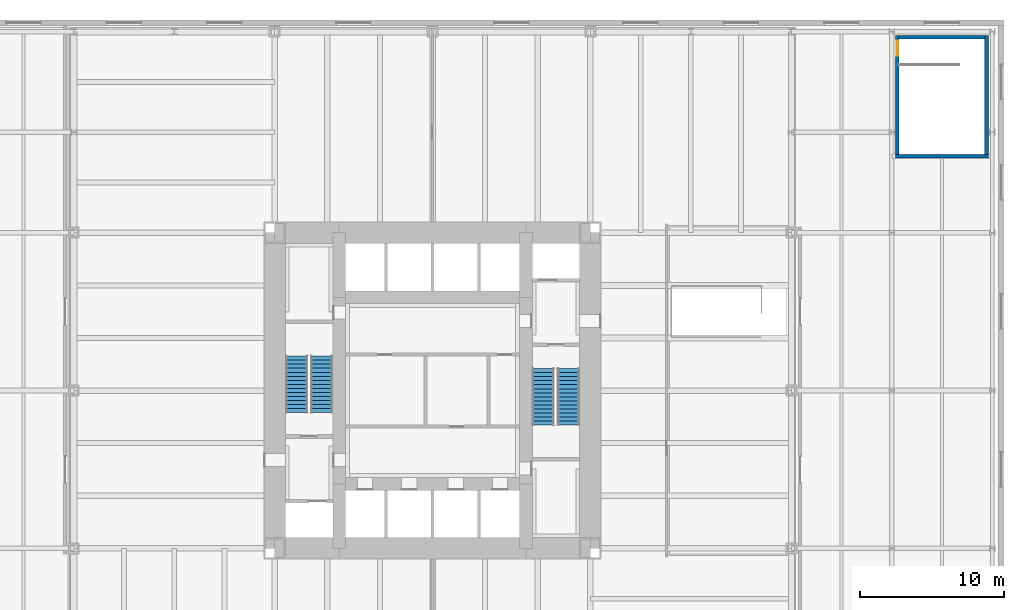
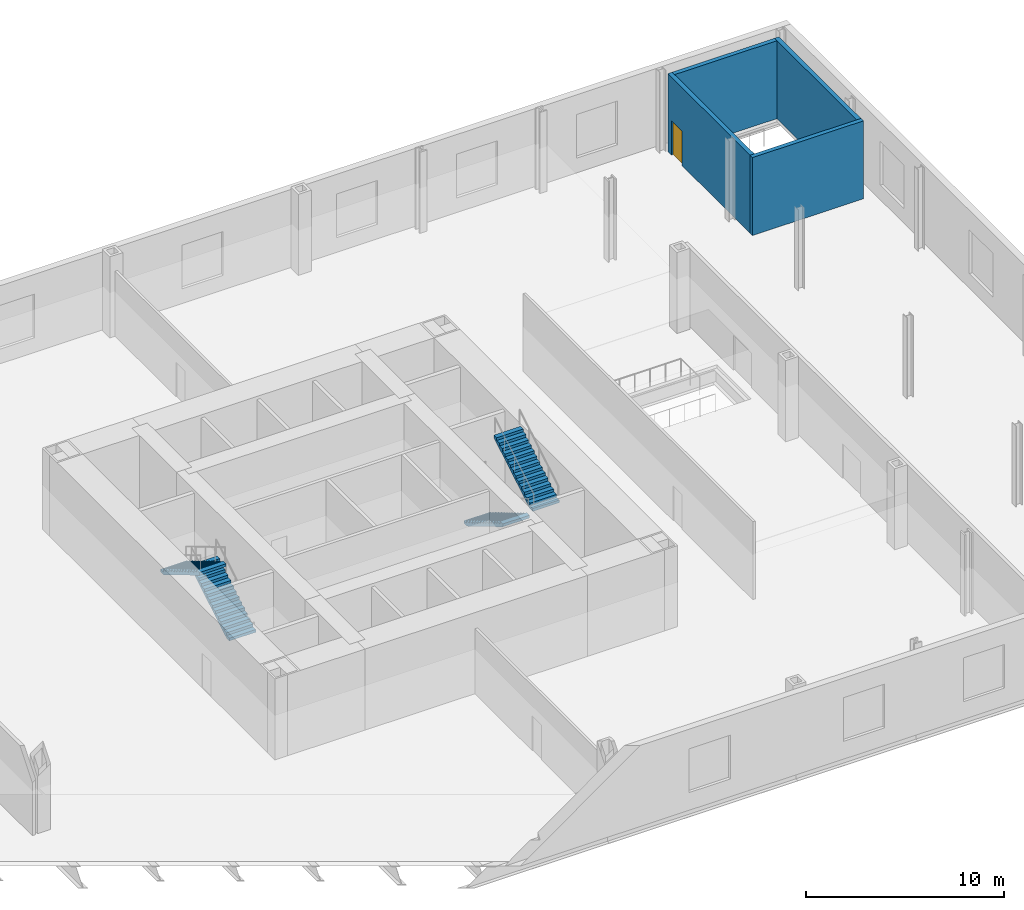
# One storey, part 11 of 12: 4 stair flights, 4 walls, 1 door, 1 opening, 2 elements without a shape of their own.
"""IFC4 building model written with IfcOpenShell, lengths in metres."""

from ifc_helpers import new_model, si_unit, direction, frame, frame_2d, origin, place, context, subcontext, project, spatial, polyline, rectangle, outline, extrude, material, layer, layer_set, type_object, element, fill, aggregate, save


model = new_model("IFC4")

# Units and contexts
model_context = context("Model", 3, precision=1e-05, world=origin(), true_north=direction((0.0, 1.0)))
body_context = subcontext(model_context, "Body", "Model", "MODEL_VIEW")
ifc_project = project(units=[si_unit("LENGTHUNIT", "METRE"), si_unit("AREAUNIT", "SQUARE_METRE"), si_unit("VOLUMEUNIT", "CUBIC_METRE"), si_unit("PLANEANGLEUNIT", "RADIAN"), si_unit("MASSUNIT", "GRAM", prefix="KILO")], contexts=[model_context])

# Site, building, storey
site_placement = place(None, origin())
site = spatial("IfcSite", under=ifc_project, at=site_placement, CompositionType="ELEMENT")
building_placement = place(site_placement, origin())
building = spatial("IfcBuilding", under=site, at=building_placement, Name="Trevanion Tower", CompositionType="ELEMENT")
storey_placement = place(building_placement, frame((0.0, 0.0, 11.0)))
storey = spatial("IfcBuildingStorey", under=building, at=storey_placement, Name="L02", CompositionType="ELEMENT", Elevation=11.0)

# Wall, opening, door
ifc_material_1 = material(Name="Reinforced masonry, fully grouted", Category="masonry")
ifc_layer = layer(ifc_material_1, 0.25)
ifc_layer_set = layer_set([ifc_layer], Name="SW1 stair shaft wall 250")
wall_type = type_object("IfcWallType", Name="SW1 stair shaft wall 250", PredefinedType="SOLIDWALL", material=ifc_layer_set)
wall_1_placement = place(storey_placement, frame((32.375, 16.31494140625, 0.0), z_axis=(0.0, 0.0, 1.0), x_axis=(0.0, 1.0, 0.0)))
wall_1 = element("IfcWall", 1, at=wall_1_placement, inside=storey, type_object=wall_type, Name="SW1 L02 S3A", PredefinedType="SOLIDWALL", context=body_context, shape_type="SweptSolid", body=[
    extrude(rectangle(XDim=8.425048828125, YDim=0.25, at=frame_2d((4.21240234375, 0.0))), origin(), (0.0, 0.0, 1.0), 4.81005859375),
])
opening_placement = place(wall_1_placement, frame((7.00146484375, 0.0, 0.0)))
opening = element("IfcOpeningElement", 2, at=opening_placement, cuts=wall_1, Name="Opening 02-018", PredefinedType="OPENING", context=body_context, shape_type="SweptSolid", body=[
    extrude(rectangle(XDim=1.06689453125, YDim=2.134033203125, at=frame_2d((0.533447265625, 1.06689453125))), frame((0.0, 0.135009765625, 0.0), z_axis=(0.0, -1.0, 0.0), x_axis=(1.0, 0.0, 0.0)), (0.0, 0.0, 1.0), 0.27001953125),
])
ifc_material_2 = material(Name="Hollow metal, fire rated", Category="steel")
door_type = type_object("IfcDoorType", Name="D2 exit stair door", OperationType="SINGLE_SWING_LEFT", PredefinedType="DOOR", material=ifc_material_2)
door_placement = place(opening_placement, origin())
door = element("IfcDoor", 3, at=door_placement, inside=storey, type_object=door_type, Name="Door 02-018", OperationType="SINGLE_SWING_LEFT", OverallHeight=2.134033203125, OverallWidth=1.06689453125, PredefinedType="DOOR", context=body_context, shape_type="SweptSolid", body=[
    extrude(rectangle(XDim=1.06689453125, YDim=2.134033203125, at=frame_2d((0.533447265625, 1.06689453125))), frame((0.0, 0.02490234375, 0.0), z_axis=(0.0, -1.0, 0.0), x_axis=(1.0, 0.0, 0.0)), (0.0, 0.0, 1.0), 0.050048828125),
])
fill(opening, door)

# Walls
wall_2_placement = place(storey_placement, frame((32.25, 16.31494140625, 0.0), z_axis=(0.0, 0.0, 1.0), x_axis=(1.0, 0.0, 0.0)))
element("IfcWall", 4, at=wall_2_placement, inside=storey, type_object=wall_type, Name="SW1 L02 S3B", PredefinedType="SOLIDWALL", context=body_context, shape_type="SweptSolid", body=[
    extrude(rectangle(XDim=6.47509765625, YDim=0.25, at=frame_2d((3.237548828125, 0.0))), origin(), (0.0, 0.0, 1.0), 4.81005859375),
])
wall_3_placement = place(storey_placement, frame((38.60009765625, 16.43994140625, 0.0), z_axis=(0.0, 0.0, 1.0), x_axis=(0.0, 1.0, 0.0)))
element("IfcWall", 5, at=wall_3_placement, inside=storey, type_object=wall_type, Name="SW1 L02 S3C", PredefinedType="SOLIDWALL", context=body_context, shape_type="SweptSolid", body=[
    extrude(rectangle(XDim=8.300048828125, YDim=0.25, at=frame_2d((4.14990234375, 0.0))), origin(), (0.0, 0.0, 1.0), 4.81005859375),
])
wall_4_placement = place(storey_placement, frame((32.5, 24.614990234375, 0.0), z_axis=(0.0, 0.0, 1.0), x_axis=(1.0, 0.0, 0.0)))
element("IfcWall", 6, at=wall_4_placement, inside=storey, type_object=wall_type, Name="SW1 L02 S3D", PredefinedType="SOLIDWALL", context=body_context, shape_type="SweptSolid", body=[
    extrude(rectangle(XDim=5.97509765625, YDim=0.25, at=frame_2d((2.987548828125, 0.0))), origin(), (0.0, 0.0, 1.0), 4.81005859375),
])

# Stair, stair flights
ifc_material_3 = material(Name="Concrete 5,000 psi on steel stringers", Category="concrete")
stair_type = type_object("IfcStairType", Name="ST stair", PredefinedType="HALF_TURN_STAIR", material=ifc_material_3)
stair_1_placement = place(storey_placement, origin())
stair_1 = element("IfcStair", 7, at=stair_1_placement, inside=storey, type_object=stair_type, Name="ST1 L02", PredefinedType="HALF_TURN_STAIR")
ifc_material_4 = material(Name="Concrete 5,000 psi in steel pan", Category="concrete")
stair_flight_type = type_object("IfcStairFlightType", Name="STF stair flight", PredefinedType="STRAIGHT", material=ifc_material_4)
stair_flight_1_placement = place(storey_placement, frame((7.72509765625, 1.52490234375, 0.0), z_axis=(0.0, 0.0, 1.0), x_axis=(0.0, -1.0, 0.0)))
stair_flight_1 = element("IfcStairFlight", 8, at=stair_flight_1_placement, type_object=stair_flight_type, Name="ST1 flight 1", NumberOfRisers=15, NumberOfTreads=14, PredefinedType="STRAIGHT", RiserHeight=0.166666667, TreadLength=0.28, context=body_context, shape_type="SweptSolid", body=[
    extrude(outline(polyline([(0.0, 0.0), (0.0, 0.166748046875), (0.280029296875, 0.166748046875), (0.280029296875, 0.333251953125), (0.56005859375, 0.333251953125), (0.56005859375, 0.5), (0.840087890625, 0.5), (0.840087890625, 0.666748046875), (1.1201171875, 0.666748046875), (1.1201171875, 0.833251953125), (1.39990234375, 0.833251953125), (1.39990234375, 1.0), (1.679931640625, 1.0), (1.679931640625, 1.166748046875), (1.9599609375, 1.166748046875), (1.9599609375, 1.333251953125), (2.239990234375, 1.333251953125), (2.239990234375, 1.5), (2.52001953125, 1.5), (2.52001953125, 1.666748046875), (2.800048828125, 1.666748046875), (2.800048828125, 1.833251953125), (3.080078125, 1.833251953125), (3.080078125, 2.0), (3.360107421875, 2.0), (3.360107421875, 2.166748046875), (3.639892578125, 2.166748046875), (3.639892578125, 2.333251953125), (3.919921875, 2.333251953125), (3.919921875, 2.5), (3.919921875, 2.158935546875), (0.29296875, 0.0), (0.0, 0.0)])), frame((0.0, 0.77490234375, 0.0), z_axis=(0.0, -1.0, 0.0), x_axis=(1.0, 0.0, 0.0)), (0.0, 0.0, 1.0), 1.550048828125),
])
stair_flight_2_placement = place(storey_placement, frame((9.47509765625, -2.39501953125, 2.5), z_axis=(0.0, 0.0, 1.0), x_axis=(0.0, 1.0, 0.0)))
stair_flight_2 = element("IfcStairFlight", 9, at=stair_flight_2_placement, type_object=stair_flight_type, Name="ST1 flight 2", NumberOfRisers=15, NumberOfTreads=14, PredefinedType="STRAIGHT", RiserHeight=0.166666667, TreadLength=0.28, context=body_context, shape_type="SweptSolid", body=[
    extrude(outline(polyline([(0.0, 0.0), (0.0, 0.166748046875), (0.280029296875, 0.166748046875), (0.280029296875, 0.333251953125), (0.56005859375, 0.333251953125), (0.56005859375, 0.5), (0.840087890625, 0.5), (0.840087890625, 0.666748046875), (1.1201171875, 0.666748046875), (1.1201171875, 0.833251953125), (1.39990234375, 0.833251953125), (1.39990234375, 1.0), (1.679931640625, 1.0), (1.679931640625, 1.166748046875), (1.9599609375, 1.166748046875), (1.9599609375, 1.333251953125), (2.239990234375, 1.333251953125), (2.239990234375, 1.5), (2.52001953125, 1.5), (2.52001953125, 1.666748046875), (2.800048828125, 1.666748046875), (2.800048828125, 1.833251953125), (3.080078125, 1.833251953125), (3.080078125, 2.0), (3.360107421875, 2.0), (3.360107421875, 2.166748046875), (3.639892578125, 2.166748046875), (3.639892578125, 2.333251953125), (3.919921875, 2.333251953125), (3.919921875, 2.5), (3.919921875, 2.158935546875), (0.29296875, 0.0), (0.0, 0.0)])), frame((0.0, 0.77490234375, 0.0), z_axis=(0.0, -1.0, 0.0), x_axis=(1.0, 0.0, 0.0)), (0.0, 0.0, 1.0), 1.550048828125),
])
aggregate(stair_1, [stair_flight_1, stair_flight_2])

stair_2_placement = place(storey_placement, origin())
stair_2 = element("IfcStair", 10, at=stair_2_placement, inside=storey, type_object=stair_type, Name="ST2 L02", PredefinedType="HALF_TURN_STAIR")
stair_flight_3_placement = place(storey_placement, frame((-7.72509765625, -1.52490234375, 0.0), z_axis=(0.0, 0.0, 1.0), x_axis=(0.0, 1.0, 0.0)))
stair_flight_3 = element("IfcStairFlight", 11, at=stair_flight_3_placement, type_object=stair_flight_type, Name="ST2 flight 1", NumberOfRisers=15, NumberOfTreads=14, PredefinedType="STRAIGHT", RiserHeight=0.166666667, TreadLength=0.28, context=body_context, shape_type="SweptSolid", body=[
    extrude(outline(polyline([(0.0, 0.0), (0.0, 0.166748046875), (0.280029296875, 0.166748046875), (0.280029296875, 0.333251953125), (0.56005859375, 0.333251953125), (0.56005859375, 0.5), (0.840087890625, 0.5), (0.840087890625, 0.666748046875), (1.1201171875, 0.666748046875), (1.1201171875, 0.833251953125), (1.39990234375, 0.833251953125), (1.39990234375, 1.0), (1.679931640625, 1.0), (1.679931640625, 1.166748046875), (1.9599609375, 1.166748046875), (1.9599609375, 1.333251953125), (2.239990234375, 1.333251953125), (2.239990234375, 1.5), (2.52001953125, 1.5), (2.52001953125, 1.666748046875), (2.800048828125, 1.666748046875), (2.800048828125, 1.833251953125), (3.080078125, 1.833251953125), (3.080078125, 2.0), (3.360107421875, 2.0), (3.360107421875, 2.166748046875), (3.639892578125, 2.166748046875), (3.639892578125, 2.333251953125), (3.919921875, 2.333251953125), (3.919921875, 2.5), (3.919921875, 2.158935546875), (0.29296875, 0.0), (0.0, 0.0)])), frame((0.0, 0.77490234375, 0.0), z_axis=(0.0, -1.0, 0.0), x_axis=(1.0, 0.0, 0.0)), (0.0, 0.0, 1.0), 1.550048828125),
])
stair_flight_4_placement = place(storey_placement, frame((-9.47509765625, 2.39501953125, 2.5), z_axis=(0.0, 0.0, 1.0), x_axis=(0.0, -1.0, 0.0)))
stair_flight_4 = element("IfcStairFlight", 12, at=stair_flight_4_placement, type_object=stair_flight_type, Name="ST2 flight 2", NumberOfRisers=15, NumberOfTreads=14, PredefinedType="STRAIGHT", RiserHeight=0.166666667, TreadLength=0.28, context=body_context, shape_type="SweptSolid", body=[
    extrude(outline(polyline([(0.0, 0.0), (0.0, 0.166748046875), (0.280029296875, 0.166748046875), (0.280029296875, 0.333251953125), (0.56005859375, 0.333251953125), (0.56005859375, 0.5), (0.840087890625, 0.5), (0.840087890625, 0.666748046875), (1.1201171875, 0.666748046875), (1.1201171875, 0.833251953125), (1.39990234375, 0.833251953125), (1.39990234375, 1.0), (1.679931640625, 1.0), (1.679931640625, 1.166748046875), (1.9599609375, 1.166748046875), (1.9599609375, 1.333251953125), (2.239990234375, 1.333251953125), (2.239990234375, 1.5), (2.52001953125, 1.5), (2.52001953125, 1.666748046875), (2.800048828125, 1.666748046875), (2.800048828125, 1.833251953125), (3.080078125, 1.833251953125), (3.080078125, 2.0), (3.360107421875, 2.0), (3.360107421875, 2.166748046875), (3.639892578125, 2.166748046875), (3.639892578125, 2.333251953125), (3.919921875, 2.333251953125), (3.919921875, 2.5), (3.919921875, 2.158935546875), (0.29296875, 0.0), (0.0, 0.0)])), frame((0.0, 0.77490234375, 0.0), z_axis=(0.0, -1.0, 0.0), x_axis=(1.0, 0.0, 0.0)), (0.0, 0.0, 1.0), 1.550048828125),
])
aggregate(stair_2, [stair_flight_3, stair_flight_4])

save(model, "model.ifc")
